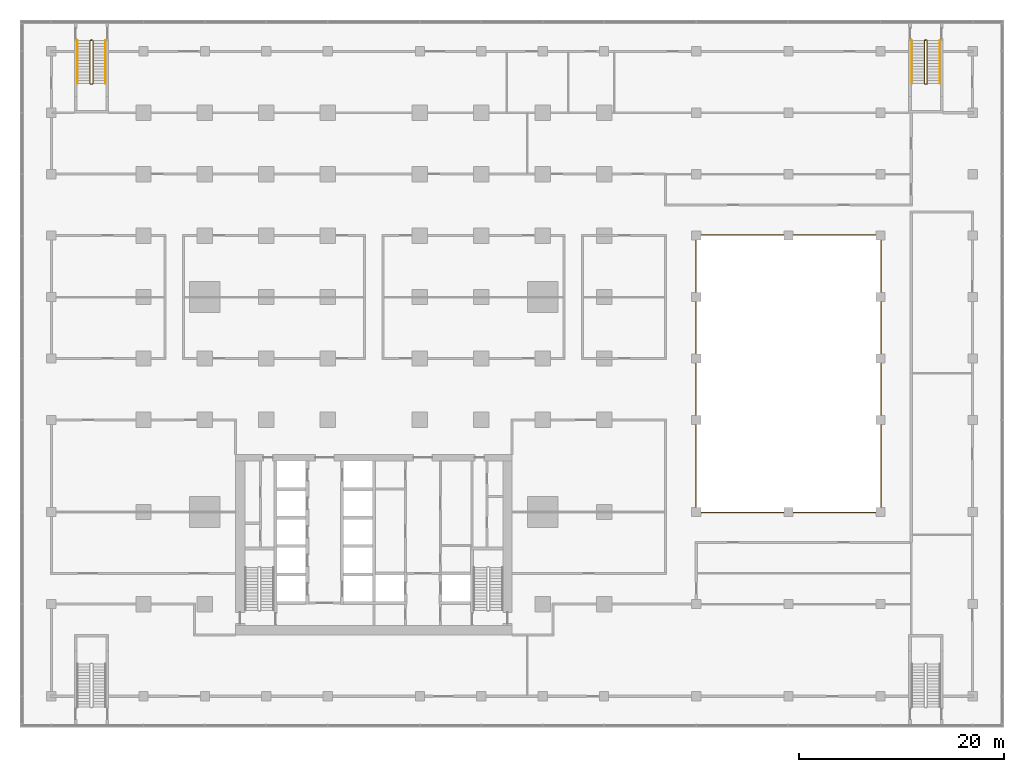
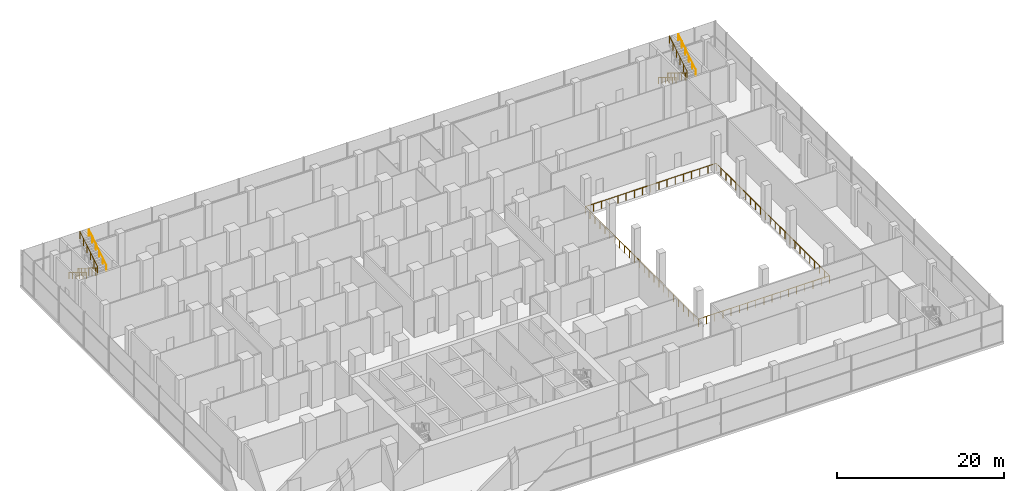
# One storey, part 22 of 22: 7 railings.
"""IFC4 building model written with IfcOpenShell, lengths in metres."""

from ifc_helpers import new_model, si_unit, direction, frame, origin, origin_2d, place, context, subcontext, project, spatial, circle, extrude, material, type_object, element, save


model = new_model("IFC4")

# Units and contexts
model_context = context("Model", 3, precision=1e-05, world=origin(), true_north=direction((0.0, 1.0)))
body_context = subcontext(model_context, "Body", "Model", "MODEL_VIEW")
ifc_project = project(units=[si_unit("LENGTHUNIT", "METRE"), si_unit("AREAUNIT", "SQUARE_METRE"), si_unit("VOLUMEUNIT", "CUBIC_METRE"), si_unit("PLANEANGLEUNIT", "RADIAN"), si_unit("MASSUNIT", "GRAM", prefix="KILO")], contexts=[model_context])

# Site, building, storey
site_placement = place(None, origin())
site = spatial("IfcSite", under=ifc_project, at=site_placement, CompositionType="ELEMENT")
building_placement = place(site_placement, origin())
building = spatial("IfcBuilding", under=site, at=building_placement, Name="Finial Court Residences", CompositionType="ELEMENT")
storey_placement = place(building_placement, frame((0.0, 0.0, 8.0)))
storey = spatial("IfcBuildingStorey", under=building, at=storey_placement, Name="L01", CompositionType="ELEMENT", Elevation=8.0)

# Railings
ifc_material_1 = material(Name="Bronze anodised aluminium", Category="aluminium")
railing_type_1 = type_object("IfcRailingType", Name="Atrium gallery guard 1100", PredefinedType="GUARDRAIL", material=ifc_material_1)
railing_1_placement = place(storey_placement, frame((31.449951171875, -13.550048828125, 0.0)))
element("IfcRailing", 1, at=railing_1_placement, inside=storey, type_object=railing_type_1, Name="L01 atrium gallery guard", PredefinedType="GUARDRAIL", context=body_context, shape_type="SweptSolid", body=[
    extrude(circle(Radius=0.02392578125, at=origin_2d()), frame((0.0, 0.0, 1.076171875), z_axis=(1.0, 0.0, 0.0), x_axis=(0.0, 1.0, 0.0)), (0.0, 0.0, 1.0), 18.10009765625),
    extrude(circle(Radius=0.02392578125, at=origin_2d()), frame((18.10009765625, 0.0, 1.076171875), z_axis=(0.0, 1.0, 0.0), x_axis=(-1.0, 0.0, 0.0)), (0.0, 0.0, 1.0), 27.10009765625),
    extrude(circle(Radius=0.02392578125, at=origin_2d()), frame((18.10009765625, 27.10009765625, 1.076171875), z_axis=(-1.0, 0.0, 0.0), x_axis=(0.0, -1.0, 0.0)), (0.0, 0.0, 1.0), 18.10009765625),
    extrude(circle(Radius=0.02392578125, at=origin_2d()), frame((0.0, 27.10009765625, 1.076171875), z_axis=(0.0, -1.0, 0.0), x_axis=(1.0, 0.0, 0.0)), (0.0, 0.0, 1.0), 27.0400390625),
    extrude(circle(Radius=0.02099609375, at=origin_2d()), origin(), (0.0, 0.0, 1.0), 1.052001953125),
    extrude(circle(Radius=0.02099609375, at=origin_2d()), frame((1.13134765625, 0.0, 0.0)), (0.0, 0.0, 1.0), 1.052001953125),
    extrude(circle(Radius=0.02099609375, at=origin_2d()), frame((2.262451171875, 0.0, 0.0)), (0.0, 0.0, 1.0), 1.052001953125),
    extrude(circle(Radius=0.02099609375, at=origin_2d()), frame((3.393798828125, 0.0, 0.0)), (0.0, 0.0, 1.0), 1.052001953125),
    extrude(circle(Radius=0.02099609375, at=origin_2d()), frame((4.52490234375, 0.0, 0.0)), (0.0, 0.0, 1.0), 1.052001953125),
    extrude(circle(Radius=0.02099609375, at=origin_2d()), frame((5.65625, 0.0, 0.0)), (0.0, 0.0, 1.0), 1.052001953125),
    extrude(circle(Radius=0.02099609375, at=origin_2d()), frame((6.78759765625, 0.0, 0.0)), (0.0, 0.0, 1.0), 1.052001953125),
    extrude(circle(Radius=0.02099609375, at=origin_2d()), frame((7.918701171875, 0.0, 0.0)), (0.0, 0.0, 1.0), 1.052001953125),
    extrude(circle(Radius=0.02099609375, at=origin_2d()), frame((9.050048828125, 0.0, 0.0)), (0.0, 0.0, 1.0), 1.052001953125),
    extrude(circle(Radius=0.02099609375, at=origin_2d()), frame((10.181396484375, 0.0, 0.0)), (0.0, 0.0, 1.0), 1.052001953125),
    extrude(circle(Radius=0.02099609375, at=origin_2d()), frame((11.3125, 0.0, 0.0)), (0.0, 0.0, 1.0), 1.052001953125),
    extrude(circle(Radius=0.02099609375, at=origin_2d()), frame((12.44384765625, 0.0, 0.0)), (0.0, 0.0, 1.0), 1.052001953125),
    extrude(circle(Radius=0.02099609375, at=origin_2d()), frame((13.5751953125, 0.0, 0.0)), (0.0, 0.0, 1.0), 1.052001953125),
    extrude(circle(Radius=0.02099609375, at=origin_2d()), frame((14.706298828125, 0.0, 0.0)), (0.0, 0.0, 1.0), 1.052001953125),
    extrude(circle(Radius=0.02099609375, at=origin_2d()), frame((15.837646484375, 0.0, 0.0)), (0.0, 0.0, 1.0), 1.052001953125),
    extrude(circle(Radius=0.02099609375, at=origin_2d()), frame((16.96875, 0.0, 0.0)), (0.0, 0.0, 1.0), 1.052001953125),
    extrude(circle(Radius=0.02099609375, at=origin_2d()), frame((18.10009765625, 0.0, 0.0)), (0.0, 0.0, 1.0), 1.052001953125),
    extrude(circle(Radius=0.02099609375, at=origin_2d()), frame((18.10009765625, 1.17822265625, 0.0)), (0.0, 0.0, 1.0), 1.052001953125),
    extrude(circle(Radius=0.02099609375, at=origin_2d()), frame((18.10009765625, 2.3564453125, 0.0)), (0.0, 0.0, 1.0), 1.052001953125),
    extrude(circle(Radius=0.02099609375, at=origin_2d()), frame((18.10009765625, 3.534912109375, 0.0)), (0.0, 0.0, 1.0), 1.052001953125),
    extrude(circle(Radius=0.02099609375, at=origin_2d()), frame((18.10009765625, 4.713134765625, 0.0)), (0.0, 0.0, 1.0), 1.052001953125),
    extrude(circle(Radius=0.02099609375, at=origin_2d()), frame((18.10009765625, 5.891357421875, 0.0)), (0.0, 0.0, 1.0), 1.052001953125),
    extrude(circle(Radius=0.02099609375, at=origin_2d()), frame((18.10009765625, 7.069580078125, 0.0)), (0.0, 0.0, 1.0), 1.052001953125),
    extrude(circle(Radius=0.02099609375, at=origin_2d()), frame((18.10009765625, 8.247802734375, 0.0)), (0.0, 0.0, 1.0), 1.052001953125),
    extrude(circle(Radius=0.02099609375, at=origin_2d()), frame((18.10009765625, 9.426025390625, 0.0)), (0.0, 0.0, 1.0), 1.052001953125),
    extrude(circle(Radius=0.02099609375, at=origin_2d()), frame((18.10009765625, 10.6044921875, 0.0)), (0.0, 0.0, 1.0), 1.052001953125),
    extrude(circle(Radius=0.02099609375, at=origin_2d()), frame((18.10009765625, 11.78271484375, 0.0)), (0.0, 0.0, 1.0), 1.052001953125),
    extrude(circle(Radius=0.02099609375, at=origin_2d()), frame((18.10009765625, 12.9609375, 0.0)), (0.0, 0.0, 1.0), 1.052001953125),
    extrude(circle(Radius=0.02099609375, at=origin_2d()), frame((18.10009765625, 14.13916015625, 0.0)), (0.0, 0.0, 1.0), 1.052001953125),
    extrude(circle(Radius=0.02099609375, at=origin_2d()), frame((18.10009765625, 15.3173828125, 0.0)), (0.0, 0.0, 1.0), 1.052001953125),
    extrude(circle(Radius=0.02099609375, at=origin_2d()), frame((18.10009765625, 16.49560546875, 0.0)), (0.0, 0.0, 1.0), 1.052001953125),
    extrude(circle(Radius=0.02099609375, at=origin_2d()), frame((18.10009765625, 17.674072265625, 0.0)), (0.0, 0.0, 1.0), 1.052001953125),
    extrude(circle(Radius=0.02099609375, at=origin_2d()), frame((18.10009765625, 18.852294921875, 0.0)), (0.0, 0.0, 1.0), 1.052001953125),
    extrude(circle(Radius=0.02099609375, at=origin_2d()), frame((18.10009765625, 20.030517578125, 0.0)), (0.0, 0.0, 1.0), 1.052001953125),
    extrude(circle(Radius=0.02099609375, at=origin_2d()), frame((18.10009765625, 21.208740234375, 0.0)), (0.0, 0.0, 1.0), 1.052001953125),
    extrude(circle(Radius=0.02099609375, at=origin_2d()), frame((18.10009765625, 22.386962890625, 0.0)), (0.0, 0.0, 1.0), 1.052001953125),
    extrude(circle(Radius=0.02099609375, at=origin_2d()), frame((18.10009765625, 23.565185546875, 0.0)), (0.0, 0.0, 1.0), 1.052001953125),
    extrude(circle(Radius=0.02099609375, at=origin_2d()), frame((18.10009765625, 24.74365234375, 0.0)), (0.0, 0.0, 1.0), 1.052001953125),
    extrude(circle(Radius=0.02099609375, at=origin_2d()), frame((18.10009765625, 25.921875, 0.0)), (0.0, 0.0, 1.0), 1.052001953125),
    extrude(circle(Radius=0.02099609375, at=origin_2d()), frame((18.10009765625, 27.10009765625, 0.0)), (0.0, 0.0, 1.0), 1.052001953125),
    extrude(circle(Radius=0.02099609375, at=origin_2d()), frame((16.96875, 27.10009765625, 0.0)), (0.0, 0.0, 1.0), 1.052001953125),
    extrude(circle(Radius=0.02099609375, at=origin_2d()), frame((15.837646484375, 27.10009765625, 0.0)), (0.0, 0.0, 1.0), 1.052001953125),
    extrude(circle(Radius=0.02099609375, at=origin_2d()), frame((14.706298828125, 27.10009765625, 0.0)), (0.0, 0.0, 1.0), 1.052001953125),
    extrude(circle(Radius=0.02099609375, at=origin_2d()), frame((13.5751953125, 27.10009765625, 0.0)), (0.0, 0.0, 1.0), 1.052001953125),
    extrude(circle(Radius=0.02099609375, at=origin_2d()), frame((12.44384765625, 27.10009765625, 0.0)), (0.0, 0.0, 1.0), 1.052001953125),
    extrude(circle(Radius=0.02099609375, at=origin_2d()), frame((11.3125, 27.10009765625, 0.0)), (0.0, 0.0, 1.0), 1.052001953125),
    extrude(circle(Radius=0.02099609375, at=origin_2d()), frame((10.181396484375, 27.10009765625, 0.0)), (0.0, 0.0, 1.0), 1.052001953125),
    extrude(circle(Radius=0.02099609375, at=origin_2d()), frame((9.050048828125, 27.10009765625, 0.0)), (0.0, 0.0, 1.0), 1.052001953125),
    extrude(circle(Radius=0.02099609375, at=origin_2d()), frame((7.918701171875, 27.10009765625, 0.0)), (0.0, 0.0, 1.0), 1.052001953125),
    extrude(circle(Radius=0.02099609375, at=origin_2d()), frame((6.78759765625, 27.10009765625, 0.0)), (0.0, 0.0, 1.0), 1.052001953125),
    extrude(circle(Radius=0.02099609375, at=origin_2d()), frame((5.65625, 27.10009765625, 0.0)), (0.0, 0.0, 1.0), 1.052001953125),
    extrude(circle(Radius=0.02099609375, at=origin_2d()), frame((4.52490234375, 27.10009765625, 0.0)), (0.0, 0.0, 1.0), 1.052001953125),
    extrude(circle(Radius=0.02099609375, at=origin_2d()), frame((3.393798828125, 27.10009765625, 0.0)), (0.0, 0.0, 1.0), 1.052001953125),
    extrude(circle(Radius=0.02099609375, at=origin_2d()), frame((2.262451171875, 27.10009765625, 0.0)), (0.0, 0.0, 1.0), 1.052001953125),
    extrude(circle(Radius=0.02099609375, at=origin_2d()), frame((1.13134765625, 27.10009765625, 0.0)), (0.0, 0.0, 1.0), 1.052001953125),
    extrude(circle(Radius=0.02099609375, at=origin_2d()), frame((0.0, 27.10009765625, 0.0)), (0.0, 0.0, 1.0), 1.052001953125),
    extrude(circle(Radius=0.02099609375, at=origin_2d()), frame((0.0, 25.924560546875, 0.0)), (0.0, 0.0, 1.0), 1.052001953125),
    extrude(circle(Radius=0.02099609375, at=origin_2d()), frame((0.0, 24.748779296875, 0.0)), (0.0, 0.0, 1.0), 1.052001953125),
    extrude(circle(Radius=0.02099609375, at=origin_2d()), frame((0.0, 23.5732421875, 0.0)), (0.0, 0.0, 1.0), 1.052001953125),
    extrude(circle(Radius=0.02099609375, at=origin_2d()), frame((0.0, 22.3974609375, 0.0)), (0.0, 0.0, 1.0), 1.052001953125),
    extrude(circle(Radius=0.02099609375, at=origin_2d()), frame((0.0, 21.221923828125, 0.0)), (0.0, 0.0, 1.0), 1.052001953125),
    extrude(circle(Radius=0.02099609375, at=origin_2d()), frame((0.0, 20.046142578125, 0.0)), (0.0, 0.0, 1.0), 1.052001953125),
    extrude(circle(Radius=0.02099609375, at=origin_2d()), frame((0.0, 18.87060546875, 0.0)), (0.0, 0.0, 1.0), 1.052001953125),
    extrude(circle(Radius=0.02099609375, at=origin_2d()), frame((0.0, 17.69482421875, 0.0)), (0.0, 0.0, 1.0), 1.052001953125),
    extrude(circle(Radius=0.02099609375, at=origin_2d()), frame((0.0, 16.519287109375, 0.0)), (0.0, 0.0, 1.0), 1.052001953125),
    extrude(circle(Radius=0.02099609375, at=origin_2d()), frame((0.0, 15.343505859375, 0.0)), (0.0, 0.0, 1.0), 1.052001953125),
    extrude(circle(Radius=0.02099609375, at=origin_2d()), frame((0.0, 14.16796875, 0.0)), (0.0, 0.0, 1.0), 1.052001953125),
    extrude(circle(Radius=0.02099609375, at=origin_2d()), frame((0.0, 12.9921875, 0.0)), (0.0, 0.0, 1.0), 1.052001953125),
    extrude(circle(Radius=0.02099609375, at=origin_2d()), frame((0.0, 11.816650390625, 0.0)), (0.0, 0.0, 1.0), 1.052001953125),
    extrude(circle(Radius=0.02099609375, at=origin_2d()), frame((0.0, 10.640869140625, 0.0)), (0.0, 0.0, 1.0), 1.052001953125),
    extrude(circle(Radius=0.02099609375, at=origin_2d()), frame((0.0, 9.46533203125, 0.0)), (0.0, 0.0, 1.0), 1.052001953125),
    extrude(circle(Radius=0.02099609375, at=origin_2d()), frame((0.0, 8.28955078125, 0.0)), (0.0, 0.0, 1.0), 1.052001953125),
    extrude(circle(Radius=0.02099609375, at=origin_2d()), frame((0.0, 7.114013671875, 0.0)), (0.0, 0.0, 1.0), 1.052001953125),
    extrude(circle(Radius=0.02099609375, at=origin_2d()), frame((0.0, 5.938232421875, 0.0)), (0.0, 0.0, 1.0), 1.052001953125),
    extrude(circle(Radius=0.02099609375, at=origin_2d()), frame((0.0, 4.7626953125, 0.0)), (0.0, 0.0, 1.0), 1.052001953125),
    extrude(circle(Radius=0.02099609375, at=origin_2d()), frame((0.0, 3.5869140625, 0.0)), (0.0, 0.0, 1.0), 1.052001953125),
    extrude(circle(Radius=0.02099609375, at=origin_2d()), frame((0.0, 2.411376953125, 0.0)), (0.0, 0.0, 1.0), 1.052001953125),
    extrude(circle(Radius=0.02099609375, at=origin_2d()), frame((0.0, 1.235595703125, 0.0)), (0.0, 0.0, 1.0), 1.052001953125),
    extrude(circle(Radius=0.02099609375, at=origin_2d()), frame((0.0, 0.06005859375, 0.0)), (0.0, 0.0, 1.0), 1.052001953125),
])
ifc_material_2 = material(Name="Stainless steel railing", Category="steel")
railing_type_2 = type_object("IfcRailingType", Name="Stair guard 1100", PredefinedType="GUARDRAIL", material=ifc_material_2)
railing_2_placement = place(storey_placement, frame((53.85009765625, 32.60009765625, 0.0)))
element("IfcRailing", 2, at=railing_2_placement, inside=storey, type_object=railing_type_2, Name="L01 ST-5 stair guard 1", PredefinedType="GUARDRAIL", context=body_context, shape_type="SweptSolid", body=[
    extrude(circle(Radius=0.02392578125, at=origin_2d()), frame((0.0, 0.0, 1.076171875), z_axis=(1.0, 0.0, 0.0), x_axis=(0.0, 1.0, 0.0)), (0.0, 0.0, 1.0), 0.14990234375),
    extrude(circle(Radius=0.02392578125, at=origin_2d()), frame((0.14990234375, 0.0, 1.076171875), z_axis=(-0.745037588186, -0.186486819998, 0.640423030626), x_axis=(0.242814311512, -0.970072785993, 0.0)), (0.0, 0.0, 1.0), 0.268310546875),
    extrude(circle(Radius=0.02392578125, at=origin_2d()), frame((-0.050048828125, -0.050048828125, 1.248046875), z_axis=(0.0, -0.852242915053, 0.523146264196), x_axis=(1.0, 0.0, 0.0)), (0.0, 0.0, 1.0), 4.92822265625),
    extrude(circle(Radius=0.02392578125, at=origin_2d()), frame((-0.050048828125, -4.25, 3.826171875), z_axis=(0.707106781187, -0.707106781187, 0.0), x_axis=(0.707106781187, 0.707106781187, 0.0)), (0.0, 0.0, 1.0), 0.07080078125),
    extrude(circle(Radius=0.02392578125, at=origin_2d()), frame((0.0, -4.300048828125, 3.826171875), z_axis=(1.0, 0.0, 0.0), x_axis=(0.0, 1.0, 0.0)), (0.0, 0.0, 1.0), 0.14990234375),
    extrude(circle(Radius=0.02392578125, at=origin_2d()), frame((0.14990234375, -4.300048828125, 3.826171875), z_axis=(0.269255725606, 0.269255725606, 0.92466356501), x_axis=(-0.707106781187, 0.707106781187, 0.0)), (0.0, 0.0, 1.0), 0.185791015625),
    extrude(circle(Radius=0.02392578125, at=origin_2d()), frame((0.199951171875, -4.25, 3.998046875), z_axis=(0.0, 0.852242915053, 0.523146264196), x_axis=(-1.0, 0.0, 0.0)), (0.0, 0.0, 1.0), 4.92822265625),
    extrude(circle(Radius=0.02099609375, at=origin_2d()), origin(), (0.0, 0.0, 1.0), 1.052001953125),
    extrude(circle(Radius=0.02099609375, at=origin_2d()), frame((0.14990234375, 0.0, 0.0)), (0.0, 0.0, 1.0), 1.052001953125),
    extrude(circle(Radius=0.02099609375, at=origin_2d()), frame((-0.050048828125, -0.050048828125, 0.171875)), (0.0, 0.0, 1.0), 1.052001953125),
    extrude(circle(Radius=0.02099609375, at=origin_2d()), frame((-0.050048828125, -0.89013671875, 0.6875)), (0.0, 0.0, 1.0), 1.052001953125),
    extrude(circle(Radius=0.02099609375, at=origin_2d()), frame((-0.050048828125, -1.72998046875, 1.203125)), (0.0, 0.0, 1.0), 1.052001953125),
    extrude(circle(Radius=0.02099609375, at=origin_2d()), frame((-0.050048828125, -2.570068359375, 1.71875)), (0.0, 0.0, 1.0), 1.052001953125),
    extrude(circle(Radius=0.02099609375, at=origin_2d()), frame((-0.050048828125, -3.409912109375, 2.234375)), (0.0, 0.0, 1.0), 1.052001953125),
    extrude(circle(Radius=0.02099609375, at=origin_2d()), frame((-0.050048828125, -4.25, 2.75)), (0.0, 0.0, 1.0), 1.052001953125),
    extrude(circle(Radius=0.02099609375, at=origin_2d()), frame((0.0, -4.300048828125, 2.75)), (0.0, 0.0, 1.0), 1.052001953125),
    extrude(circle(Radius=0.02099609375, at=origin_2d()), frame((0.14990234375, -4.300048828125, 2.75)), (0.0, 0.0, 1.0), 1.052001953125),
    extrude(circle(Radius=0.02099609375, at=origin_2d()), frame((0.199951171875, -4.25, 2.921875)), (0.0, 0.0, 1.0), 1.052001953125),
    extrude(circle(Radius=0.02099609375, at=origin_2d()), frame((0.199951171875, -3.409912109375, 3.4375)), (0.0, 0.0, 1.0), 1.052001953125),
    extrude(circle(Radius=0.02099609375, at=origin_2d()), frame((0.199951171875, -2.570068359375, 3.953125)), (0.0, 0.0, 1.0), 1.052001953125),
    extrude(circle(Radius=0.02099609375, at=origin_2d()), frame((0.199951171875, -1.72998046875, 4.46875)), (0.0, 0.0, 1.0), 1.052001953125),
    extrude(circle(Radius=0.02099609375, at=origin_2d()), frame((0.199951171875, -0.89013671875, 4.984375)), (0.0, 0.0, 1.0), 1.052001953125),
    extrude(circle(Radius=0.02099609375, at=origin_2d()), frame((0.199951171875, -0.050048828125, 5.5)), (0.0, 0.0, 1.0), 1.052001953125),
])
railing_3_placement = place(storey_placement, frame((-27.64990234375, 32.60009765625, 0.0)))
element("IfcRailing", 3, at=railing_3_placement, inside=storey, type_object=railing_type_2, Name="L01 ST-6 stair guard 1", PredefinedType="GUARDRAIL", context=body_context, shape_type="SweptSolid", body=[
    extrude(circle(Radius=0.02392578125, at=origin_2d()), frame((0.0, 0.0, 1.076171875), z_axis=(1.0, 0.0, 0.0), x_axis=(0.0, 1.0, 0.0)), (0.0, 0.0, 1.0), 0.14990234375),
    extrude(circle(Radius=0.02392578125, at=origin_2d()), frame((0.14990234375, 0.0, 1.076171875), z_axis=(-0.745037588186, -0.186486819998, 0.640423030626), x_axis=(0.242814311512, -0.970072785993, 0.0)), (0.0, 0.0, 1.0), 0.268310546875),
    extrude(circle(Radius=0.02392578125, at=origin_2d()), frame((-0.050048828125, -0.050048828125, 1.248046875), z_axis=(0.0, -0.852242915053, 0.523146264196), x_axis=(1.0, 0.0, 0.0)), (0.0, 0.0, 1.0), 4.92822265625),
    extrude(circle(Radius=0.02392578125, at=origin_2d()), frame((-0.050048828125, -4.25, 3.826171875), z_axis=(0.707106781187, -0.707106781187, 0.0), x_axis=(0.707106781187, 0.707106781187, 0.0)), (0.0, 0.0, 1.0), 0.07080078125),
    extrude(circle(Radius=0.02392578125, at=origin_2d()), frame((0.0, -4.300048828125, 3.826171875), z_axis=(1.0, 0.0, 0.0), x_axis=(0.0, 1.0, 0.0)), (0.0, 0.0, 1.0), 0.14990234375),
    extrude(circle(Radius=0.02392578125, at=origin_2d()), frame((0.14990234375, -4.300048828125, 3.826171875), z_axis=(0.269255725606, 0.269255725606, 0.92466356501), x_axis=(-0.707106781187, 0.707106781187, 0.0)), (0.0, 0.0, 1.0), 0.185791015625),
    extrude(circle(Radius=0.02392578125, at=origin_2d()), frame((0.199951171875, -4.25, 3.998046875), z_axis=(0.0, 0.852242915053, 0.523146264196), x_axis=(-1.0, 0.0, 0.0)), (0.0, 0.0, 1.0), 4.92822265625),
    extrude(circle(Radius=0.02099609375, at=origin_2d()), origin(), (0.0, 0.0, 1.0), 1.052001953125),
    extrude(circle(Radius=0.02099609375, at=origin_2d()), frame((0.14990234375, 0.0, 0.0)), (0.0, 0.0, 1.0), 1.052001953125),
    extrude(circle(Radius=0.02099609375, at=origin_2d()), frame((-0.050048828125, -0.050048828125, 0.171875)), (0.0, 0.0, 1.0), 1.052001953125),
    extrude(circle(Radius=0.02099609375, at=origin_2d()), frame((-0.050048828125, -0.89013671875, 0.6875)), (0.0, 0.0, 1.0), 1.052001953125),
    extrude(circle(Radius=0.02099609375, at=origin_2d()), frame((-0.050048828125, -1.72998046875, 1.203125)), (0.0, 0.0, 1.0), 1.052001953125),
    extrude(circle(Radius=0.02099609375, at=origin_2d()), frame((-0.050048828125, -2.570068359375, 1.71875)), (0.0, 0.0, 1.0), 1.052001953125),
    extrude(circle(Radius=0.02099609375, at=origin_2d()), frame((-0.050048828125, -3.409912109375, 2.234375)), (0.0, 0.0, 1.0), 1.052001953125),
    extrude(circle(Radius=0.02099609375, at=origin_2d()), frame((-0.050048828125, -4.25, 2.75)), (0.0, 0.0, 1.0), 1.052001953125),
    extrude(circle(Radius=0.02099609375, at=origin_2d()), frame((0.0, -4.300048828125, 2.75)), (0.0, 0.0, 1.0), 1.052001953125),
    extrude(circle(Radius=0.02099609375, at=origin_2d()), frame((0.14990234375, -4.300048828125, 2.75)), (0.0, 0.0, 1.0), 1.052001953125),
    extrude(circle(Radius=0.02099609375, at=origin_2d()), frame((0.199951171875, -4.25, 2.921875)), (0.0, 0.0, 1.0), 1.052001953125),
    extrude(circle(Radius=0.02099609375, at=origin_2d()), frame((0.199951171875, -3.409912109375, 3.4375)), (0.0, 0.0, 1.0), 1.052001953125),
    extrude(circle(Radius=0.02099609375, at=origin_2d()), frame((0.199951171875, -2.570068359375, 3.953125)), (0.0, 0.0, 1.0), 1.052001953125),
    extrude(circle(Radius=0.02099609375, at=origin_2d()), frame((0.199951171875, -1.72998046875, 4.46875)), (0.0, 0.0, 1.0), 1.052001953125),
    extrude(circle(Radius=0.02099609375, at=origin_2d()), frame((0.199951171875, -0.89013671875, 4.984375)), (0.0, 0.0, 1.0), 1.052001953125),
    extrude(circle(Radius=0.02099609375, at=origin_2d()), frame((0.199951171875, -0.050048828125, 5.5)), (0.0, 0.0, 1.0), 1.052001953125),
])
railing_type_3 = type_object("IfcRailingType", Name="Stair handrail 900", PredefinedType="HANDRAIL", material=ifc_material_2)
railing_4_placement = place(storey_placement, frame((52.550048828125, 32.550048828125, 0.171875)))
element("IfcRailing", 4, at=railing_4_placement, inside=storey, type_object=railing_type_3, Name="L01 ST-5 stair handrail 1", PredefinedType="HANDRAIL", context=body_context, shape_type="SweptSolid", body=[
    extrude(circle(Radius=0.02392578125, at=origin_2d()), frame((0.0, 0.0, 0.8759765625), z_axis=(0.0, -0.852242915053, 0.523146264196), x_axis=(1.0, 0.0, 0.0)), (0.0, 0.0, 1.0), 4.92822265625),
    extrude(circle(Radius=0.02099609375, at=origin_2d()), origin(), (0.0, 0.0, 1.0), 0.851806640625),
    extrude(circle(Radius=0.02099609375, at=origin_2d()), frame((0.0, -0.840087890625, 0.515625)), (0.0, 0.0, 1.0), 0.851806640625),
    extrude(circle(Radius=0.02099609375, at=origin_2d()), frame((0.0, -1.679931640625, 1.03125)), (0.0, 0.0, 1.0), 0.851806640625),
    extrude(circle(Radius=0.02099609375, at=origin_2d()), frame((0.0, -2.52001953125, 1.546875)), (0.0, 0.0, 1.0), 0.851806640625),
    extrude(circle(Radius=0.02099609375, at=origin_2d()), frame((0.0, -3.35986328125, 2.0625)), (0.0, 0.0, 1.0), 0.851806640625),
    extrude(circle(Radius=0.02099609375, at=origin_2d()), frame((0.0, -4.199951171875, 2.578125)), (0.0, 0.0, 1.0), 0.851806640625),
])
railing_5_placement = place(storey_placement, frame((55.300048828125, 28.35009765625, 2.921875)))
element("IfcRailing", 5, at=railing_5_placement, inside=storey, type_object=railing_type_3, Name="L01 ST-5 stair handrail 2", PredefinedType="HANDRAIL", context=body_context, shape_type="SweptSolid", body=[
    extrude(circle(Radius=0.02392578125, at=origin_2d()), frame((0.0, 0.0, 0.8759765625), z_axis=(0.0, 0.852242915053, 0.523146264196), x_axis=(-1.0, 0.0, 0.0)), (0.0, 0.0, 1.0), 4.92822265625),
    extrude(circle(Radius=0.02099609375, at=origin_2d()), origin(), (0.0, 0.0, 1.0), 0.851806640625),
    extrude(circle(Radius=0.02099609375, at=origin_2d()), frame((0.0, 0.840087890625, 0.515625)), (0.0, 0.0, 1.0), 0.851806640625),
    extrude(circle(Radius=0.02099609375, at=origin_2d()), frame((0.0, 1.679931640625, 1.03125)), (0.0, 0.0, 1.0), 0.851806640625),
    extrude(circle(Radius=0.02099609375, at=origin_2d()), frame((0.0, 2.52001953125, 1.546875)), (0.0, 0.0, 1.0), 0.851806640625),
    extrude(circle(Radius=0.02099609375, at=origin_2d()), frame((0.0, 3.35986328125, 2.0625)), (0.0, 0.0, 1.0), 0.851806640625),
    extrude(circle(Radius=0.02099609375, at=origin_2d()), frame((0.0, 4.199951171875, 2.578125)), (0.0, 0.0, 1.0), 0.851806640625),
])
railing_6_placement = place(storey_placement, frame((-28.949951171875, 32.550048828125, 0.171875)))
element("IfcRailing", 6, at=railing_6_placement, inside=storey, type_object=railing_type_3, Name="L01 ST-6 stair handrail 1", PredefinedType="HANDRAIL", context=body_context, shape_type="SweptSolid", body=[
    extrude(circle(Radius=0.02392578125, at=origin_2d()), frame((0.0, 0.0, 0.8759765625), z_axis=(0.0, -0.852242915053, 0.523146264196), x_axis=(1.0, 0.0, 0.0)), (0.0, 0.0, 1.0), 4.92822265625),
    extrude(circle(Radius=0.02099609375, at=origin_2d()), origin(), (0.0, 0.0, 1.0), 0.851806640625),
    extrude(circle(Radius=0.02099609375, at=origin_2d()), frame((0.0, -0.840087890625, 0.515625)), (0.0, 0.0, 1.0), 0.851806640625),
    extrude(circle(Radius=0.02099609375, at=origin_2d()), frame((0.0, -1.679931640625, 1.03125)), (0.0, 0.0, 1.0), 0.851806640625),
    extrude(circle(Radius=0.02099609375, at=origin_2d()), frame((0.0, -2.52001953125, 1.546875)), (0.0, 0.0, 1.0), 0.851806640625),
    extrude(circle(Radius=0.02099609375, at=origin_2d()), frame((0.0, -3.35986328125, 2.0625)), (0.0, 0.0, 1.0), 0.851806640625),
    extrude(circle(Radius=0.02099609375, at=origin_2d()), frame((0.0, -4.199951171875, 2.578125)), (0.0, 0.0, 1.0), 0.851806640625),
])
railing_7_placement = place(storey_placement, frame((-26.199951171875, 28.35009765625, 2.921875)))
element("IfcRailing", 7, at=railing_7_placement, inside=storey, type_object=railing_type_3, Name="L01 ST-6 stair handrail 2", PredefinedType="HANDRAIL", context=body_context, shape_type="SweptSolid", body=[
    extrude(circle(Radius=0.02392578125, at=origin_2d()), frame((0.0, 0.0, 0.8759765625), z_axis=(0.0, 0.852242915053, 0.523146264196), x_axis=(-1.0, 0.0, 0.0)), (0.0, 0.0, 1.0), 4.92822265625),
    extrude(circle(Radius=0.02099609375, at=origin_2d()), origin(), (0.0, 0.0, 1.0), 0.851806640625),
    extrude(circle(Radius=0.02099609375, at=origin_2d()), frame((0.0, 0.840087890625, 0.515625)), (0.0, 0.0, 1.0), 0.851806640625),
    extrude(circle(Radius=0.02099609375, at=origin_2d()), frame((0.0, 1.679931640625, 1.03125)), (0.0, 0.0, 1.0), 0.851806640625),
    extrude(circle(Radius=0.02099609375, at=origin_2d()), frame((0.0, 2.52001953125, 1.546875)), (0.0, 0.0, 1.0), 0.851806640625),
    extrude(circle(Radius=0.02099609375, at=origin_2d()), frame((0.0, 3.35986328125, 2.0625)), (0.0, 0.0, 1.0), 0.851806640625),
    extrude(circle(Radius=0.02099609375, at=origin_2d()), frame((0.0, 4.199951171875, 2.578125)), (0.0, 0.0, 1.0), 0.851806640625),
])

save(model, "model.ifc")
